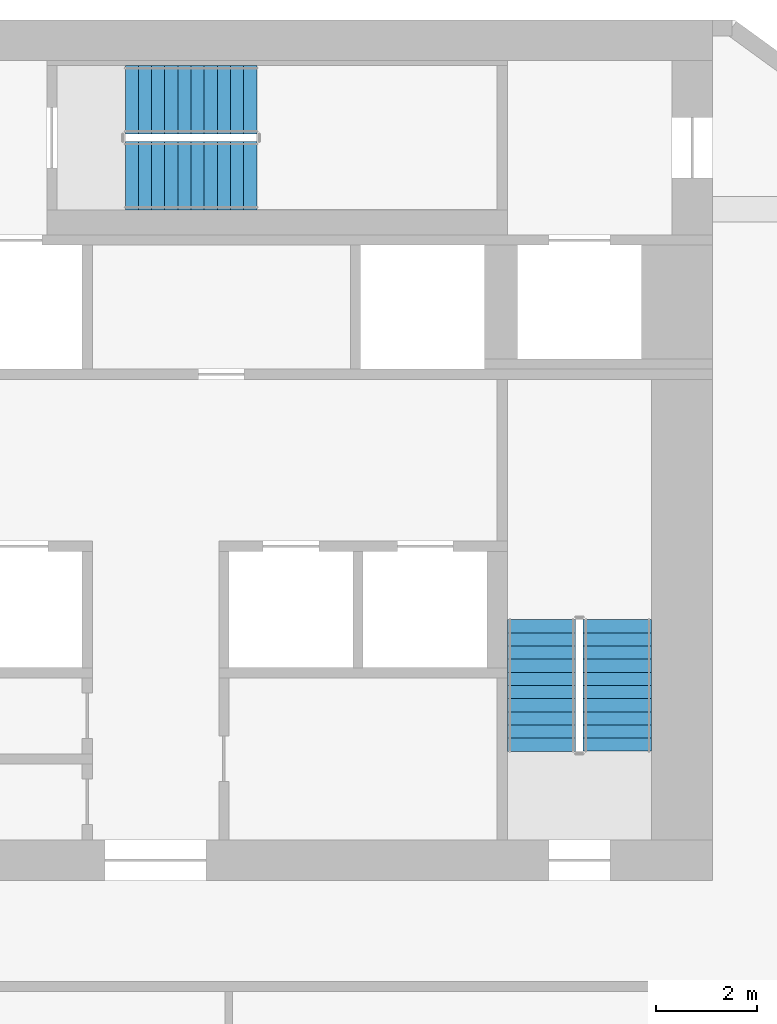
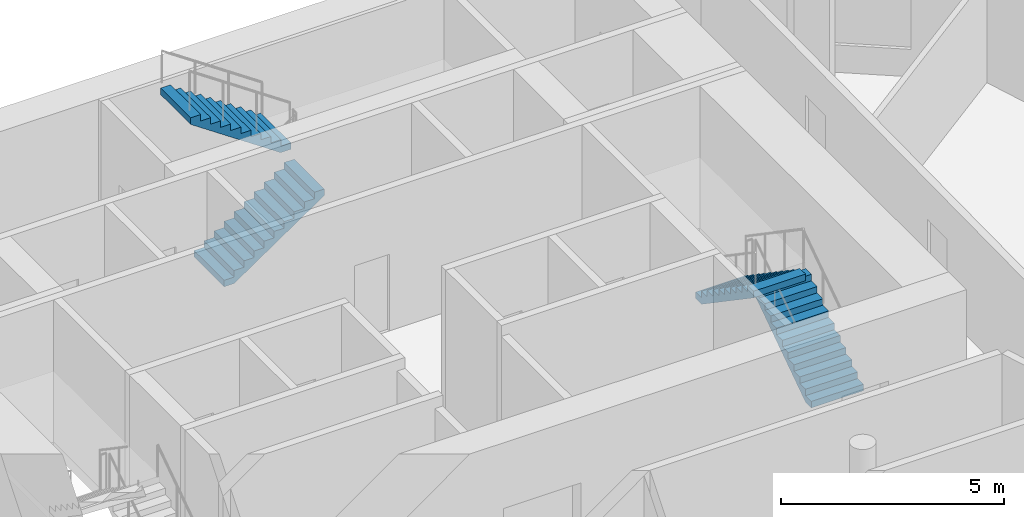
# One storey, part 7 of 9: 4 stair flights, 2 elements without a shape of their own.
"""IFC4 building model written with IfcOpenShell, lengths in metres."""

from ifc_helpers import new_model, si_unit, direction, frame, origin, place, context, subcontext, project, spatial, polyline, outline, extrude, material, layer, layer_set, type_object, element, aggregate, save


model = new_model("IFC4")

# Units and contexts
model_context = context("Model", 3, precision=1e-05, world=origin(), true_north=direction((0.0, 1.0)))
body_context = subcontext(model_context, "Body", "Model", "MODEL_VIEW")
ifc_project = project(units=[si_unit("LENGTHUNIT", "METRE"), si_unit("AREAUNIT", "SQUARE_METRE"), si_unit("VOLUMEUNIT", "CUBIC_METRE"), si_unit("PLANEANGLEUNIT", "RADIAN"), si_unit("MASSUNIT", "GRAM", prefix="KILO")], contexts=[model_context])

# Site, building, storey
site_placement = place(None, origin())
site = spatial("IfcSite", under=ifc_project, at=site_placement, CompositionType="ELEMENT")
building_placement = place(site_placement, origin())
building = spatial("IfcBuilding", under=site, at=building_placement, Name="White Candle Pilgrim Tower", CompositionType="ELEMENT")
storey_placement = place(building_placement, frame((0.0, 0.0, 204.300048828125)))
storey = spatial("IfcBuildingStorey", under=building, at=storey_placement, Name="L47", CompositionType="ELEMENT", Elevation=204.300048828125)

# Stair, stair flights
ifc_material = material(Name="Concrete C40/50", Category="concrete")
stair_type_1 = type_object("IfcStairType", Name="Exit stair 2 flight width 1350 mm", PredefinedType="HALF_TURN_STAIR", material=ifc_material)
stair_1_placement = place(storey_placement, origin())
stair_1 = element("IfcStair", 1, at=stair_1_placement, inside=storey, type_object=stair_type_1, Name="L47 stair 2", PredefinedType="NOTDEFINED")
ifc_layer = layer(ifc_material, 0.14990234375)
ifc_layer_set = layer_set([ifc_layer], Name="Stair flight Concrete C40/50")
stair_flight_type = type_object("IfcStairFlightType", Name="Stair flight Concrete C40/50", PredefinedType="STRAIGHT", material=ifc_layer_set)
stair_flight_1_placement = place(storey_placement, frame((79.125, 73.550048828125, 0.0), z_axis=(0.0, 0.0, 1.0), x_axis=(0.0, 1.0, 0.0)))
stair_flight_1 = element("IfcStairFlight", 2, at=stair_flight_1_placement, type_object=stair_flight_type, Name="ST2 flight 1", NumberOfRisers=11, NumberOfTreads=10, PredefinedType="NOTDEFINED", RiserHeight=0.177272727, TreadLength=0.26, context=body_context, shape_type="SweptSolid", body=[
    extrude(outline(polyline([(0.0, 0.0), (0.0, 0.17724609375), (0.260009765625, 0.17724609375), (0.260009765625, 0.3544921875), (0.52001953125, 0.3544921875), (0.52001953125, 0.53173828125), (0.780029296875, 0.53173828125), (0.780029296875, 0.708984375), (1.0400390625, 0.708984375), (1.0400390625, 0.886474609375), (1.300048828125, 0.886474609375), (1.300048828125, 1.063720703125), (1.56005859375, 1.063720703125), (1.56005859375, 1.240966796875), (1.820068359375, 1.240966796875), (1.820068359375, 1.418212890625), (2.080078125, 1.418212890625), (2.080078125, 1.595458984375), (2.340087890625, 1.595458984375), (2.340087890625, 1.772705078125), (2.60009765625, 1.772705078125), (2.60009765625, 1.949951171875), (2.60009765625, 1.59130859375), (0.26611328125, 0.0), (0.0, 0.0)])), frame((0.0, 0.675048828125, 0.0), z_axis=(0.0, -1.0, 0.0), x_axis=(1.0, 0.0, 0.0)), (0.0, 0.0, 1.0), 1.35009765625),
])
stair_flight_2_placement = place(storey_placement, frame((77.625, 76.14990234375, 1.949951171875), z_axis=(0.0, 0.0, 1.0), x_axis=(0.0, -1.0, 0.0)))
stair_flight_2 = element("IfcStairFlight", 3, at=stair_flight_2_placement, type_object=stair_flight_type, Name="ST2 flight 2", NumberOfRisers=11, NumberOfTreads=10, PredefinedType="NOTDEFINED", RiserHeight=0.177272727, TreadLength=0.26, context=body_context, shape_type="SweptSolid", body=[
    extrude(outline(polyline([(0.0, 0.0), (0.0, 0.17724609375), (0.260009765625, 0.17724609375), (0.260009765625, 0.3544921875), (0.52001953125, 0.3544921875), (0.52001953125, 0.53173828125), (0.780029296875, 0.53173828125), (0.780029296875, 0.708984375), (1.0400390625, 0.708984375), (1.0400390625, 0.886474609375), (1.300048828125, 0.886474609375), (1.300048828125, 1.063720703125), (1.56005859375, 1.063720703125), (1.56005859375, 1.240966796875), (1.820068359375, 1.240966796875), (1.820068359375, 1.418212890625), (2.080078125, 1.418212890625), (2.080078125, 1.595458984375), (2.340087890625, 1.595458984375), (2.340087890625, 1.772705078125), (2.60009765625, 1.772705078125), (2.60009765625, 1.949951171875), (2.60009765625, 1.59130859375), (0.26611328125, 0.0), (0.0, 0.0)])), frame((0.0, 0.675048828125, 0.0), z_axis=(0.0, -1.0, 0.0), x_axis=(1.0, 0.0, 0.0)), (0.0, 0.0, 1.0), 1.35009765625),
])
aggregate(stair_1, [stair_flight_1, stair_flight_2])

stair_type_2 = type_object("IfcStairType", Name="Exit stair 3 flight width 1350 mm", PredefinedType="HALF_TURN_STAIR", material=ifc_material)
stair_2_placement = place(storey_placement, origin())
stair_2 = element("IfcStair", 4, at=stair_2_placement, inside=storey, type_object=stair_type_2, Name="L47 stair 3", PredefinedType="NOTDEFINED")
stair_flight_3_placement = place(storey_placement, frame((69.39990234375, 84.925048828125, 0.0), z_axis=(0.0, 0.0, 1.0), x_axis=(1.0, 0.0, 0.0)))
stair_flight_3 = element("IfcStairFlight", 5, at=stair_flight_3_placement, type_object=stair_flight_type, Name="ST3 flight 1", NumberOfRisers=11, NumberOfTreads=10, PredefinedType="NOTDEFINED", RiserHeight=0.177272727, TreadLength=0.26, context=body_context, shape_type="SweptSolid", body=[
    extrude(outline(polyline([(0.0, 0.0), (0.0, 0.17724609375), (0.260009765625, 0.17724609375), (0.260009765625, 0.3544921875), (0.52001953125, 0.3544921875), (0.52001953125, 0.53173828125), (0.780029296875, 0.53173828125), (0.780029296875, 0.708984375), (1.0400390625, 0.708984375), (1.0400390625, 0.886474609375), (1.300048828125, 0.886474609375), (1.300048828125, 1.063720703125), (1.56005859375, 1.063720703125), (1.56005859375, 1.240966796875), (1.820068359375, 1.240966796875), (1.820068359375, 1.418212890625), (2.080078125, 1.418212890625), (2.080078125, 1.595458984375), (2.340087890625, 1.595458984375), (2.340087890625, 1.772705078125), (2.60009765625, 1.772705078125), (2.60009765625, 1.949951171875), (2.60009765625, 1.59130859375), (0.26611328125, 0.0), (0.0, 0.0)])), frame((0.0, 0.675048828125, 0.0), z_axis=(0.0, -1.0, 0.0), x_axis=(1.0, 0.0, 0.0)), (0.0, 0.0, 1.0), 1.35009765625),
])
stair_flight_4_placement = place(storey_placement, frame((72.0, 86.425048828125, 1.949951171875), z_axis=(0.0, 0.0, 1.0), x_axis=(-1.0, 0.0, 0.0)))
stair_flight_4 = element("IfcStairFlight", 6, at=stair_flight_4_placement, type_object=stair_flight_type, Name="ST3 flight 2", NumberOfRisers=11, NumberOfTreads=10, PredefinedType="NOTDEFINED", RiserHeight=0.177272727, TreadLength=0.26, context=body_context, shape_type="SweptSolid", body=[
    extrude(outline(polyline([(0.0, 0.0), (0.0, 0.17724609375), (0.260009765625, 0.17724609375), (0.260009765625, 0.3544921875), (0.52001953125, 0.3544921875), (0.52001953125, 0.53173828125), (0.780029296875, 0.53173828125), (0.780029296875, 0.708984375), (1.0400390625, 0.708984375), (1.0400390625, 0.886474609375), (1.300048828125, 0.886474609375), (1.300048828125, 1.063720703125), (1.56005859375, 1.063720703125), (1.56005859375, 1.240966796875), (1.820068359375, 1.240966796875), (1.820068359375, 1.418212890625), (2.080078125, 1.418212890625), (2.080078125, 1.595458984375), (2.340087890625, 1.595458984375), (2.340087890625, 1.772705078125), (2.60009765625, 1.772705078125), (2.60009765625, 1.949951171875), (2.60009765625, 1.59130859375), (0.26611328125, 0.0), (0.0, 0.0)])), frame((0.0, 0.675048828125, 0.0), z_axis=(0.0, -1.0, 0.0), x_axis=(1.0, 0.0, 0.0)), (0.0, 0.0, 1.0), 1.35009765625),
])
aggregate(stair_2, [stair_flight_3, stair_flight_4])

save(model, "model.ifc")
